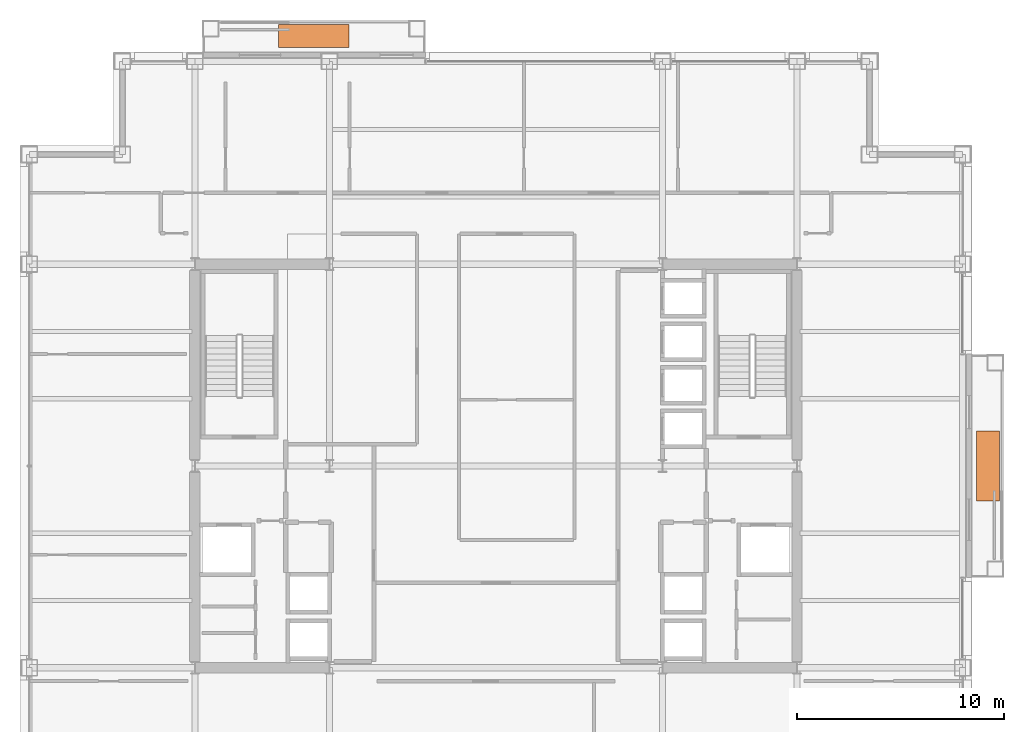
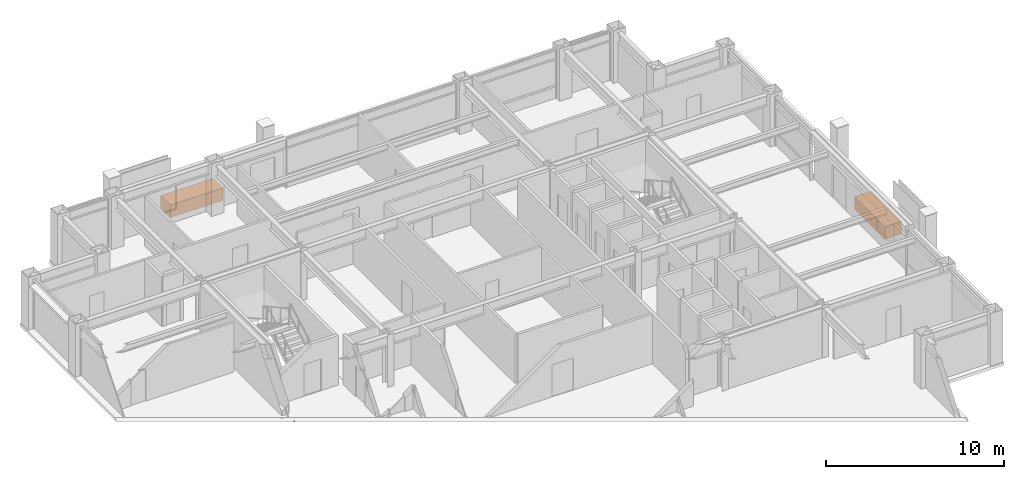
# One storey, part 29 of 29: 2 proxies.
"""IFC4 building model written with IfcOpenShell, lengths in metres."""

from ifc_helpers import new_model, si_unit, direction, frame, origin, origin_2d, place, context, subcontext, project, spatial, rectangle, extrude, material, type_object, element, save


model = new_model("IFC4")

# Units and contexts
model_context = context("Model", 3, precision=1e-05, world=origin(), true_north=direction((0.0, 1.0)))
body_context = subcontext(model_context, "Body", "Model", "MODEL_VIEW")
ifc_project = project(units=[si_unit("LENGTHUNIT", "METRE"), si_unit("AREAUNIT", "SQUARE_METRE"), si_unit("VOLUMEUNIT", "CUBIC_METRE"), si_unit("PLANEANGLEUNIT", "RADIAN"), si_unit("MASSUNIT", "GRAM", prefix="KILO")], contexts=[model_context])

# Site, building, storey
site_placement = place(None, origin())
site = spatial("IfcSite", under=ifc_project, at=site_placement, CompositionType="ELEMENT")
building_placement = place(site_placement, origin())
building = spatial("IfcBuilding", under=site, at=building_placement, Name="Brelmoor Portico Tower", CompositionType="ELEMENT")
storey_placement = place(building_placement, frame((0.0, 0.0, 135.0)))
storey = spatial("IfcBuildingStorey", under=building, at=storey_placement, Name="L35", CompositionType="ELEMENT", Elevation=135.0)

# Proxies
ifc_material = material(Name="Architectural Precast Concrete C40", Category="concrete")
building_element_proxy_type = type_object("IfcBuildingElementProxyType", Name="TREE PLANTER", PredefinedType="USERDEFINED", material=ifc_material)
for number, where, z_axis, x_axis, name in (
    (1, (-8.800048828125, 20.77490234375, 0.0), (0.0, 0.0, 1.0), (1.0, 0.0, 0.0), "L35 Planted Tree Planter N"),
    (2, (23.77490234375, 0.0, 0.0), (0.0, 0.0, 1.0), (0.0, 1.0, 0.0), "L35 Planted Tree Planter E"),
):
    element("IfcBuildingElementProxy", number, at=place(storey_placement, frame(where, z_axis=z_axis, x_axis=x_axis)), inside=storey, type_object=building_element_proxy_type, Name=name, ObjectType="PLANTER", PredefinedType="USERDEFINED", context=body_context, shape_type="SweptSolid", body=[
        extrude(rectangle(XDim=3.39990234375, YDim=1.10009765625, at=origin_2d()), origin(), (0.0, 0.0, 1.0), 0.85009765625),
    ])

save(model, "model.ifc")
